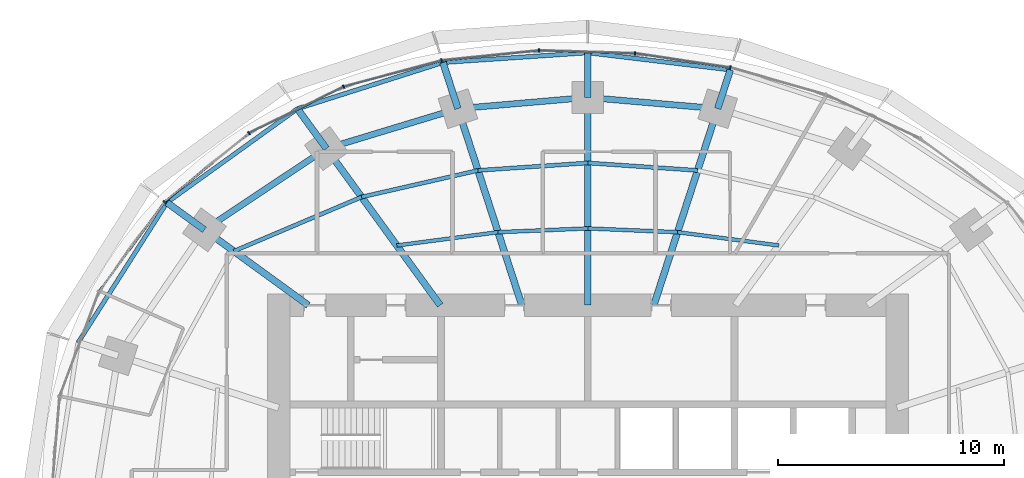
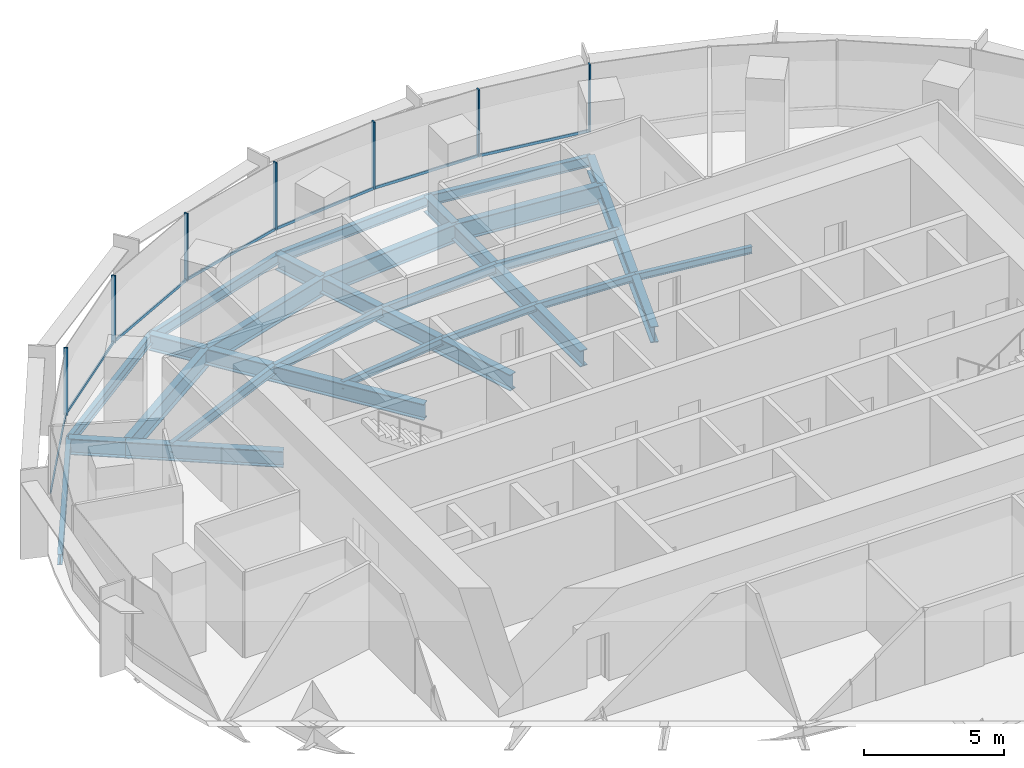
# One storey, part 7 of 14: 27 beams, 14 members, 2 elements without a shape of their own.
"""IFC4 building model written with IfcOpenShell, lengths in metres."""

from ifc_helpers import new_model, si_unit, direction, frame, origin, origin_2d, place, context, subcontext, project, spatial, rectangle, i_section, extrude, material, material_profile, profile_set, type_object, element, aggregate, save


model = new_model("IFC4")

# Units and contexts
model_context = context("Model", 3, precision=1e-05, world=origin(), true_north=direction((0.0, 1.0)))
body_context = subcontext(model_context, "Body", "Model", "MODEL_VIEW")
ifc_project = project(units=[si_unit("LENGTHUNIT", "METRE"), si_unit("AREAUNIT", "SQUARE_METRE"), si_unit("VOLUMEUNIT", "CUBIC_METRE"), si_unit("PLANEANGLEUNIT", "RADIAN"), si_unit("MASSUNIT", "GRAM", prefix="KILO")], contexts=[model_context])

# Site, building, storey
site_placement = place(None, origin())
site = spatial("IfcSite", under=ifc_project, at=site_placement, CompositionType="ELEMENT")
building_placement = place(site_placement, origin())
building = spatial("IfcBuilding", under=site, at=building_placement, Name="Marramba Exchange Tower", CompositionType="ELEMENT")
storey_placement = place(building_placement, frame((0.0, 0.0, 203.300048828125)))
storey = spatial("IfcBuildingStorey", under=building, at=storey_placement, Name="L49", CompositionType="ELEMENT", Elevation=203.300048828125)

# Beams
ifc_material_1 = material(Name="Steel AS/NZS 3679.2 grade 300", Category="steel")
ifc_material_profile_1 = material_profile(ifc_material_1, i_section(OverallWidth=0.300048828125, OverallDepth=0.699951171875, WebThickness=0.010009765625, FlangeThickness=0.031982421875, at=origin_2d()), Name="700WB173")
ifc_profile_set_1 = profile_set([ifc_material_profile_1], Name="Steel AS/NZS 3679.2 grade 300")
beam_type_1 = type_object("IfcBeamType", Name="Cantilever girder 700WB173", PredefinedType="BEAM", material=ifc_profile_set_1)
beam_1_placement = place(storey_placement, frame((5.75390625, 17.70849609375, -0.510009765625), z_axis=(0.308960771946, 0.951074782232, 0.0), x_axis=(-0.951074782232, 0.308960771946, 0.0)))
element("IfcBeam", 1, at=beam_1_placement, inside=storey, type_object=beam_type_1, Name="Cantilever girder L49 TC05", PredefinedType="BEAM", context=body_context, shape_type="SweptSolid", body=[
    extrude(i_section(OverallWidth=0.300048828125, OverallDepth=0.699951171875, WebThickness=0.010009765625, FlangeThickness=0.031982421875, at=origin_2d()), origin(), (0.0, 0.0, 1.0), 1.806396484375),
])
beam_2_placement = place(storey_placement, frame((0.0, 18.2041015625, -0.510009765625), z_axis=(0.0, 1.0, 0.0), x_axis=(-1.0, 0.0, 0.0)))
element("IfcBeam", 2, at=beam_2_placement, inside=storey, type_object=beam_type_1, Name="Cantilever girder L49 TC06", PredefinedType="BEAM", context=body_context, shape_type="SweptSolid", body=[
    extrude(i_section(OverallWidth=0.300048828125, OverallDepth=0.699951171875, WebThickness=0.010009765625, FlangeThickness=0.031982421875, at=origin_2d()), origin(), (0.0, 0.0, 1.0), 1.982177734375),
])
beam_3_placement = place(storey_placement, frame((-5.75390625, 17.70849609375, -0.510009765625), z_axis=(-0.308998798068, 0.951062428441, 0.0), x_axis=(-0.951062428441, -0.308998798068, 0.0)))
element("IfcBeam", 3, at=beam_3_placement, inside=storey, type_object=beam_type_1, Name="Cantilever girder L49 TC07", PredefinedType="BEAM", context=body_context, shape_type="SweptSolid", body=[
    extrude(i_section(OverallWidth=0.300048828125, OverallDepth=0.699951171875, WebThickness=0.010009765625, FlangeThickness=0.031982421875, at=origin_2d()), origin(), (0.0, 0.0, 1.0), 2.150634765625),
])
beam_4_placement = place(storey_placement, frame((-11.581298828125, 15.9404296875, -0.510009765625), z_axis=(-0.587832433352, 0.808982713226, 0.0), x_axis=(-0.808982713226, -0.587832433352, 0.0)))
element("IfcBeam", 4, at=beam_4_placement, inside=storey, type_object=beam_type_1, Name="Cantilever girder L49 TC08", PredefinedType="BEAM", context=body_context, shape_type="SweptSolid", body=[
    extrude(i_section(OverallWidth=0.300048828125, OverallDepth=0.699951171875, WebThickness=0.010009765625, FlangeThickness=0.031982421875, at=origin_2d()), origin(), (0.0, 0.0, 1.0), 2.1826171875),
])
beam_5_placement = place(storey_placement, frame((-16.98583984375, 12.3408203125, -0.510009765625), z_axis=(-0.808962446125, 0.587860324192, 0.0), x_axis=(-0.587860324192, -0.808962446125, 0.0)))
element("IfcBeam", 5, at=beam_5_placement, inside=storey, type_object=beam_type_1, Name="Cantilever girder L49 TC09", PredefinedType="BEAM", context=body_context, shape_type="SweptSolid", body=[
    extrude(i_section(OverallWidth=0.300048828125, OverallDepth=0.699951171875, WebThickness=0.010009765625, FlangeThickness=0.031982421875, at=origin_2d()), origin(), (0.0, 0.0, 1.0), 2.051513671875),
])
ifc_material_2 = material(Name="Steel AS/NZS 3679.1 grade 300", Category="steel")
ifc_material_profile_2 = material_profile(ifc_material_2, i_section(OverallWidth=0.166015625, OverallDepth=0.306884765625, WebThickness=0.006591796875, FlangeThickness=0.01171875, FilletRadius=0.011474609375, at=origin_2d()), Name="310UB46.2")
ifc_profile_set_2 = profile_set([ifc_material_profile_2], Name="Steel AS/NZS 3679.1 grade 300")
beam_type_2 = type_object("IfcBeamType", Name="Floor joist 310UB46.2", PredefinedType="JOIST", material=ifc_profile_set_2)
beam_6_placement = place(storey_placement, frame((8.4619140625, 11.646728515625, -0.3134765625), z_axis=(-0.991480538255, 0.130254912618, 0.0), x_axis=(-0.130254912618, -0.991480538255, 0.0)))
element("IfcBeam", 6, at=beam_6_placement, inside=storey, type_object=beam_type_2, Name="Joist L49 bay 04 row 1", PredefinedType="JOIST", context=body_context, shape_type="SweptSolid", body=[
    extrude(i_section(OverallWidth=0.166015625, OverallDepth=0.306884765625, WebThickness=0.006591796875, FlangeThickness=0.01171875, FilletRadius=0.011474609375, at=origin_2d()), origin(), (0.0, 0.0, 1.0), 4.524658203125),
])
for number, where, z_axis, x_axis, name in (
    (7, (3.975830078125, 12.236083984375, -0.3134765625), (-0.999137002892, 0.041536122257, 0.0), (-0.041536122257, -0.999137002892, 0.0), "Joist L49 bay 05 row 1"),
    (8, (0.0, 12.4013671875, -0.3134765625), (-0.999137002892, -0.041536122257, 0.0), (0.041536122257, -0.999137002892, 0.0), "Joist L49 bay 06 row 1"),
):
    element("IfcBeam", number, at=place(storey_placement, frame(where, z_axis=z_axis, x_axis=x_axis)), inside=storey, type_object=beam_type_2, Name=name, PredefinedType="JOIST", context=body_context, shape_type="SweptSolid", body=[
        extrude(i_section(OverallWidth=0.166015625, OverallDepth=0.306884765625, WebThickness=0.006591796875, FlangeThickness=0.01171875, FilletRadius=0.011474609375, at=origin_2d()), origin(), (0.0, 0.0, 1.0), 3.979248046875),
    ])
beam_7_placement = place(storey_placement, frame((-3.975830078125, 12.236083984375, -0.3134765625), z_axis=(-0.991480538255, -0.130254912618, 0.0), x_axis=(0.130254912618, -0.991480538255, 0.0)))
element("IfcBeam", 9, at=beam_7_placement, inside=storey, type_object=beam_type_2, Name="Joist L49 bay 07 row 1", PredefinedType="JOIST", context=body_context, shape_type="SweptSolid", body=[
    extrude(i_section(OverallWidth=0.166015625, OverallDepth=0.306884765625, WebThickness=0.006591796875, FlangeThickness=0.01171875, FilletRadius=0.011474609375, at=origin_2d()), origin(), (0.0, 0.0, 1.0), 4.524658203125),
])
ifc_material_profile_3 = material_profile(ifc_material_2, i_section(OverallWidth=0.177978515625, OverallDepth=0.406005859375, WebThickness=0.0078125, FlangeThickness=0.0126953125, FilletRadius=0.011474609375, at=origin_2d()), Name="410UB59.7")
ifc_profile_set_3 = profile_set([ifc_material_profile_3], Name="Steel AS/NZS 3679.1 grade 300")
beam_type_3 = type_object("IfcBeamType", Name="Floor joist 410UB59.7", PredefinedType="JOIST", material=ifc_profile_set_3)
for number, where, z_axis, x_axis, name in (
    (10, (4.86474609375, 14.972412109375, -0.363037109375), (-0.997702652202, 0.067745241816, 0.0), (-0.067745241816, -0.997702652202, 0.0), "Joist L49 bay 05 row 2"),
    (11, (0.0, 15.302734375, -0.363037109375), (-0.997702652202, -0.067745241816, 0.0), (0.067745241816, -0.997702652202, 0.0), "Joist L49 bay 06 row 2"),
):
    element("IfcBeam", number, at=place(storey_placement, frame(where, z_axis=z_axis, x_axis=x_axis)), inside=storey, type_object=beam_type_3, Name=name, PredefinedType="JOIST", context=body_context, shape_type="SweptSolid", body=[
        extrude(i_section(OverallWidth=0.177978515625, OverallDepth=0.406005859375, WebThickness=0.0078125, FlangeThickness=0.0126953125, FilletRadius=0.011474609375, at=origin_2d()), origin(), (0.0, 0.0, 1.0), 4.8759765625),
    ])
beam_8_placement = place(storey_placement, frame((-4.86474609375, 14.972412109375, -0.363037109375), z_axis=(-0.974859652292, -0.222819788916, 0.0), x_axis=(0.222819788916, -0.974859652292, 0.0)))
element("IfcBeam", 12, at=beam_8_placement, inside=storey, type_object=beam_type_3, Name="Joist L49 bay 07 row 2", PredefinedType="JOIST", context=body_context, shape_type="SweptSolid", body=[
    extrude(i_section(OverallWidth=0.177978515625, OverallDepth=0.406005859375, WebThickness=0.0078125, FlangeThickness=0.0126953125, FilletRadius=0.011474609375, at=origin_2d()), origin(), (0.0, 0.0, 1.0), 5.2900390625),
])
beam_9_placement = place(storey_placement, frame((-10.021728515625, 13.793701171875, -0.363037109375), z_axis=(-0.920674336375, -0.390331610738, 0.0), x_axis=(0.390331610738, -0.920674336375, 0.0)))
element("IfcBeam", 13, at=beam_9_placement, inside=storey, type_object=beam_type_3, Name="Joist L49 bay 08 row 2", PredefinedType="JOIST", context=body_context, shape_type="SweptSolid", body=[
    extrude(i_section(OverallWidth=0.177978515625, OverallDepth=0.406005859375, WebThickness=0.0078125, FlangeThickness=0.0126953125, FilletRadius=0.011474609375, at=origin_2d()), origin(), (0.0, 0.0, 1.0), 6.1484375),
])

# Curtain wall, members
ifc_material_3 = material(Name="Aluminium framing, bronze anodised", Category="aluminium")
curtain_wall_type = type_object("IfcCurtainWallType", Name="Office ribbon curtain wall", PredefinedType="USERDEFINED", material=ifc_material_3)
curtain_wall_1_placement = place(storey_placement, origin())
curtain_wall_1 = element("IfcCurtainWall", 14, at=curtain_wall_1_placement, inside=storey, type_object=curtain_wall_type, Name="Curtain wall CW4 L49 F06-F10", ObjectType="RIBBON CURTAIN WALL", PredefinedType="USERDEFINED")
ifc_material_4 = material(Name="Aluminium mullion, bronze anodised", Category="aluminium")
ifc_material_profile_4 = material_profile(ifc_material_4, rectangle(XDim=0.159912109375, YDim=0.06005859375, at=origin_2d()), Name="CW4 mullion 60x160")
ifc_profile_set_4 = profile_set([ifc_material_profile_4], Name="Aluminium mullion, bronze anodised")
member_type_1 = type_object("IfcMemberType", Name="Office ribbon curtain wall mullion", PredefinedType="MULLION", material=ifc_profile_set_4)
member_1_placement = place(storey_placement, frame((6.313232421875, 19.526123046875, 0.800048828125), z_axis=(0.0, 0.0, 1.0), x_axis=(-0.148794988635, -0.988868065698, 0.0)))
member_1 = element("IfcMember", 15, at=member_1_placement, type_object=member_type_1, Name="CW4 mullion 1", PredefinedType="MULLION", context=body_context, shape_type="SweptSolid", body=[
    extrude(rectangle(XDim=0.159912109375, YDim=0.06005859375, at=origin_2d()), origin(), (0.0, 0.0, 1.0), 2.93994140625),
])
member_2_placement = place(storey_placement, frame((2.088623046875, 20.158203125, 0.800048828125), z_axis=(0.0, 0.0, 1.0), x_axis=(-0.03039385249, -0.999538000143, 0.0)))
member_2 = element("IfcMember", 16, at=member_2_placement, type_object=member_type_1, Name="CW4 mullion 1", PredefinedType="MULLION", context=body_context, shape_type="SweptSolid", body=[
    extrude(rectangle(XDim=0.159912109375, YDim=0.06005859375, at=origin_2d()), origin(), (0.0, 0.0, 1.0), 2.93994140625),
])
member_3_placement = place(storey_placement, frame((-2.162109375, 20.28369140625, 0.800048828125), z_axis=(0.0, 0.0, 1.0), x_axis=(0.100862673507, -0.994900357369, 0.0)))
member_3 = element("IfcMember", 17, at=member_3_placement, type_object=member_type_1, Name="CW4 mullion 1", PredefinedType="MULLION", context=body_context, shape_type="SweptSolid", body=[
    extrude(rectangle(XDim=0.159912109375, YDim=0.06005859375, at=origin_2d()), origin(), (0.0, 0.0, 1.0), 2.93994140625),
])
member_4_placement = place(storey_placement, frame((-6.478271484375, 19.84130859375, 0.800048828125), z_axis=(0.0, 0.0, 1.0), x_axis=(0.257641223778, -0.966240653155, 0.0)))
member_4 = element("IfcMember", 18, at=member_4_placement, type_object=member_type_1, Name="CW4 mullion 1", PredefinedType="MULLION", context=body_context, shape_type="SweptSolid", body=[
    extrude(rectangle(XDim=0.159912109375, YDim=0.06005859375, at=origin_2d()), origin(), (0.0, 0.0, 1.0), 2.93994140625),
])

curtain_wall_2_placement = place(storey_placement, origin())
curtain_wall_2 = element("IfcCurtainWall", 19, at=curtain_wall_2_placement, inside=storey, type_object=curtain_wall_type, Name="Curtain wall CW4 L49 F11-F15", ObjectType="RIBBON CURTAIN WALL", PredefinedType="USERDEFINED")
member_5_placement = place(storey_placement, frame((-10.818359375, 18.677978515625, 0.800048828125), z_axis=(0.0, 0.0, 1.0), x_axis=(0.438972456661, -0.898500518805, 0.0)))
member_5 = element("IfcMember", 20, at=member_5_placement, type_object=member_type_1, Name="CW4 mullion 1", PredefinedType="MULLION", context=body_context, shape_type="SweptSolid", body=[
    extrude(rectangle(XDim=0.159912109375, YDim=0.06005859375, at=origin_2d()), origin(), (0.0, 0.0, 1.0), 2.93994140625),
])
member_6_placement = place(storey_placement, frame((-15.008056640625, 16.62353515625, 0.800048828125), z_axis=(0.0, 0.0, 1.0), x_axis=(0.630200830464, -0.776432169145, 0.0)))
member_6 = element("IfcMember", 21, at=member_6_placement, type_object=member_type_1, Name="CW4 mullion 1", PredefinedType="MULLION", context=body_context, shape_type="SweptSolid", body=[
    extrude(rectangle(XDim=0.159912109375, YDim=0.06005859375, at=origin_2d()), origin(), (0.0, 0.0, 1.0), 2.93994140625),
])
member_7_placement = place(storey_placement, frame((-18.744140625, 13.581298828125, 0.800048828125), z_axis=(0.0, 0.0, 1.0), x_axis=(0.805965197024, -0.591962922138, 0.0)))
member_7 = element("IfcMember", 22, at=member_7_placement, type_object=member_type_1, Name="CW4 mullion 1", PredefinedType="MULLION", context=body_context, shape_type="SweptSolid", body=[
    extrude(rectangle(XDim=0.159912109375, YDim=0.06005859375, at=origin_2d()), origin(), (0.0, 0.0, 1.0), 2.93994140625),
])

# Member
ifc_material_5 = material(Name="Aluminium transom, bronze anodised", Category="aluminium")
ifc_material_profile_5 = material_profile(ifc_material_5, rectangle(XDim=0.06005859375, YDim=0.1201171875, at=origin_2d()), Name="CW4 transom 60x120")
ifc_profile_set_5 = profile_set([ifc_material_profile_5], Name="Aluminium transom, bronze anodised")
member_type_2 = type_object("IfcMemberType", Name="Office ribbon curtain wall transom", PredefinedType="USERDEFINED", material=ifc_profile_set_5)
member_8_placement = place(storey_placement, frame((6.28369140625, 19.53076171875, 0.829833984375), z_axis=(-0.988868222508, 0.148793946493, 0.0), x_axis=(-0.148793946493, -0.988868222508, 0.0)))
member_8 = element("IfcMember", 23, at=member_8_placement, type_object=member_type_2, Name="CW4 sill transom", ObjectType="TRANSOM", PredefinedType="USERDEFINED", context=body_context, shape_type="SweptSolid", body=[
    extrude(rectangle(XDim=0.06005859375, YDim=0.1201171875, at=origin_2d()), origin(), (0.0, 0.0, 1.0), 4.2119140625),
])

member_9_placement = place(storey_placement, frame((2.05859375, 20.1591796875, 0.829833984375), z_axis=(-0.99953796835, 0.030394898024, 0.0), x_axis=(-0.030394898024, -0.99953796835, 0.0)))
member_9 = element("IfcMember", 24, at=member_9_placement, type_object=member_type_2, Name="CW4 sill transom", ObjectType="TRANSOM", PredefinedType="USERDEFINED", context=body_context, shape_type="SweptSolid", body=[
    extrude(rectangle(XDim=0.06005859375, YDim=0.1201171875, at=origin_2d()), origin(), (0.0, 0.0, 1.0), 4.19287109375),
])

member_10_placement = place(storey_placement, frame((-2.19189453125, 20.280517578125, 0.829833984375), z_axis=(-0.99489954864, -0.100870650418, 0.0), x_axis=(0.100870650418, -0.99489954864, 0.0)))
member_10 = element("IfcMember", 25, at=member_10_placement, type_object=member_type_2, Name="CW4 sill transom", ObjectType="TRANSOM", PredefinedType="USERDEFINED", context=body_context, shape_type="SweptSolid", body=[
    extrude(rectangle(XDim=0.06005859375, YDim=0.1201171875, at=origin_2d()), origin(), (0.0, 0.0, 1.0), 4.279052734375),
])

member_11_placement = place(storey_placement, frame((-6.50732421875, 19.83349609375, 0.829833984375), z_axis=(-0.966237681407, -0.25765236857, 0.0), x_axis=(0.25765236857, -0.966237681407, 0.0)))
member_11 = element("IfcMember", 26, at=member_11_placement, type_object=member_type_2, Name="CW4 sill transom", ObjectType="TRANSOM", PredefinedType="USERDEFINED", context=body_context, shape_type="SweptSolid", body=[
    extrude(rectangle(XDim=0.06005859375, YDim=0.1201171875, at=origin_2d()), origin(), (0.0, 0.0, 1.0), 4.43359375),
])

aggregate(curtain_wall_1, [member_1, member_8, member_2, member_9, member_3, member_10, member_4, member_11])

member_12_placement = place(storey_placement, frame((-10.84521484375, 18.664794921875, 0.829833984375), z_axis=(-0.898501418486, -0.438970615165, 0.0), x_axis=(0.438970615165, -0.898501418486, 0.0)))
member_12 = element("IfcMember", 27, at=member_12_placement, type_object=member_type_2, Name="CW4 sill transom", ObjectType="TRANSOM", PredefinedType="USERDEFINED", context=body_context, shape_type="SweptSolid", body=[
    extrude(rectangle(XDim=0.06005859375, YDim=0.1201171875, at=origin_2d()), origin(), (0.0, 0.0, 1.0), 4.607177734375),
])

member_13_placement = place(storey_placement, frame((-15.031494140625, 16.6044921875, 0.829833984375), z_axis=(-0.776424623019, -0.630210127473, 0.0), x_axis=(0.630210127473, -0.776424623019, 0.0)))
member_13 = element("IfcMember", 28, at=member_13_placement, type_object=member_type_2, Name="CW4 sill transom", ObjectType="TRANSOM", PredefinedType="USERDEFINED", context=body_context, shape_type="SweptSolid", body=[
    extrude(rectangle(XDim=0.06005859375, YDim=0.1201171875, at=origin_2d()), origin(), (0.0, 0.0, 1.0), 4.7587890625),
])

member_14_placement = place(storey_placement, frame((-18.761962890625, 13.55712890625, 0.829833984375), z_axis=(-0.591957380483, -0.805969267213, 0.0), x_axis=(0.805969267213, -0.591957380483, 0.0)))
member_14 = element("IfcMember", 29, at=member_14_placement, type_object=member_type_2, Name="CW4 sill transom", ObjectType="TRANSOM", PredefinedType="USERDEFINED", context=body_context, shape_type="SweptSolid", body=[
    extrude(rectangle(XDim=0.06005859375, YDim=0.1201171875, at=origin_2d()), origin(), (0.0, 0.0, 1.0), 4.865478515625),
])

aggregate(curtain_wall_2, [member_5, member_12, member_6, member_13, member_7, member_14])

# Beams
ifc_material_profile_6 = material_profile(ifc_material_1, i_section(OverallWidth=0.300048828125, OverallDepth=0.699951171875, WebThickness=0.010009765625, FlangeThickness=0.031982421875, at=origin_2d()), Name="700WB173")
ifc_profile_set_6 = profile_set([ifc_material_profile_6], Name="Steel AS/NZS 3679.2 grade 300")
beam_type_4 = type_object("IfcBeamType", Name="Radial girder 700WB173", PredefinedType="BEAM", material=ifc_profile_set_6)
beam_10_placement = place(storey_placement, frame((2.92431640625, 9.0, -0.510009765625), z_axis=(0.309019754162, 0.951055619582, 0.0), x_axis=(-0.951055619582, 0.309019754162, 0.0)))
element("IfcBeam", 30, at=beam_10_placement, inside=storey, type_object=beam_type_4, Name="Radial girder L49 TC05", PredefinedType="BEAM", context=body_context, shape_type="SweptSolid", body=[
    extrude(i_section(OverallWidth=0.300048828125, OverallDepth=0.699951171875, WebThickness=0.010009765625, FlangeThickness=0.031982421875, at=origin_2d()), origin(), (0.0, 0.0, 1.0), 9.15673828125),
])
beam_11_placement = place(storey_placement, frame((0.0, 9.0, -0.510009765625), z_axis=(0.0, 1.0, 0.0), x_axis=(-1.0, 0.0, 0.0)))
element("IfcBeam", 31, at=beam_11_placement, inside=storey, type_object=beam_type_4, Name="Radial girder L49 TC06", PredefinedType="BEAM", context=body_context, shape_type="SweptSolid", body=[
    extrude(i_section(OverallWidth=0.300048828125, OverallDepth=0.699951171875, WebThickness=0.010009765625, FlangeThickness=0.031982421875, at=origin_2d()), origin(), (0.0, 0.0, 1.0), 9.2041015625),
])
beam_12_placement = place(storey_placement, frame((-2.92431640625, 9.0, -0.510009765625), z_axis=(-0.309019754162, 0.951055619582, 0.0), x_axis=(-0.951055619582, -0.309019754162, 0.0)))
element("IfcBeam", 32, at=beam_12_placement, inside=storey, type_object=beam_type_4, Name="Radial girder L49 TC07", PredefinedType="BEAM", context=body_context, shape_type="SweptSolid", body=[
    extrude(i_section(OverallWidth=0.300048828125, OverallDepth=0.699951171875, WebThickness=0.010009765625, FlangeThickness=0.031982421875, at=origin_2d()), origin(), (0.0, 0.0, 1.0), 9.15673828125),
])
beam_13_placement = place(storey_placement, frame((-6.538818359375, 9.0, -0.510009765625), z_axis=(-0.587782439969, 0.80901903764, 0.0), x_axis=(-0.80901903764, -0.587782439969, 0.0)))
element("IfcBeam", 33, at=beam_13_placement, inside=storey, type_object=beam_type_4, Name="Radial girder L49 TC08", PredefinedType="BEAM", context=body_context, shape_type="SweptSolid", body=[
    extrude(i_section(OverallWidth=0.300048828125, OverallDepth=0.699951171875, WebThickness=0.010009765625, FlangeThickness=0.031982421875, at=origin_2d()), origin(), (0.0, 0.0, 1.0), 8.578857421875),
])
beam_14_placement = place(storey_placement, frame((-12.387451171875, 9.0, -0.510009765625), z_axis=(-0.809025746925, 0.587773205252, 0.0), x_axis=(-0.587773205252, -0.809025746925, 0.0)))
element("IfcBeam", 34, at=beam_14_placement, inside=storey, type_object=beam_type_4, Name="Radial girder L49 TC09", PredefinedType="BEAM", context=body_context, shape_type="SweptSolid", body=[
    extrude(i_section(OverallWidth=0.300048828125, OverallDepth=0.699951171875, WebThickness=0.010009765625, FlangeThickness=0.031982421875, at=origin_2d()), origin(), (0.0, 0.0, 1.0), 5.683837890625),
])
ifc_material_profile_7 = material_profile(ifc_material_1, i_section(OverallWidth=0.27490234375, OverallDepth=0.800048828125, WebThickness=0.010009765625, FlangeThickness=0.02490234375, at=origin_2d()), Name="800WB168")
ifc_profile_set_7 = profile_set([ifc_material_profile_7], Name="Steel AS/NZS 3679.2 grade 300")
beam_type_5 = type_object("IfcBeamType", Name="Ring beam 800WB168", PredefinedType="SPANDREL", material=ifc_profile_set_7)
for number, where, z_axis, x_axis, name in (
    (35, (5.75390625, 17.70849609375, -0.56005859375), (-0.996311003275, 0.085815993578, 0.0), (-0.085815993578, -0.996311003275, 0.0), "Ring beam L49 TC05-TC06"),
    (36, (0.0, 18.2041015625, -0.56005859375), (-0.996311003275, -0.085815993578, 0.0), (0.085815993578, -0.996311003275, 0.0), "Ring beam L49 TC06-TC07"),
):
    element("IfcBeam", number, at=place(storey_placement, frame(where, z_axis=z_axis, x_axis=x_axis)), inside=storey, type_object=beam_type_5, Name=name, PredefinedType="SPANDREL", context=body_context, shape_type="SweptSolid", body=[
        extrude(i_section(OverallWidth=0.27490234375, OverallDepth=0.800048828125, WebThickness=0.010009765625, FlangeThickness=0.02490234375, at=origin_2d()), origin(), (0.0, 0.0, 1.0), 5.775146484375),
    ])
beam_15_placement = place(storey_placement, frame((-5.75390625, 17.70849609375, -0.56005859375), z_axis=(-0.956924542524, -0.290336735387, 0.0), x_axis=(0.290336735387, -0.956924542524, 0.0)))
element("IfcBeam", 37, at=beam_15_placement, inside=storey, type_object=beam_type_5, Name="Ring beam L49 TC07-TC08", PredefinedType="SPANDREL", context=body_context, shape_type="SweptSolid", body=[
    extrude(i_section(OverallWidth=0.27490234375, OverallDepth=0.800048828125, WebThickness=0.010009765625, FlangeThickness=0.02490234375, at=origin_2d()), origin(), (0.0, 0.0, 1.0), 6.089599609375),
])
beam_16_placement = place(storey_placement, frame((-11.581298828125, 15.9404296875, -0.56005859375), z_axis=(-0.832293151443, -0.554335737673, 0.0), x_axis=(0.554335737673, -0.832293151443, 0.0)))
element("IfcBeam", 38, at=beam_16_placement, inside=storey, type_object=beam_type_5, Name="Ring beam L49 TC08-TC09", PredefinedType="SPANDREL", context=body_context, shape_type="SweptSolid", body=[
    extrude(i_section(OverallWidth=0.27490234375, OverallDepth=0.800048828125, WebThickness=0.010009765625, FlangeThickness=0.02490234375, at=origin_2d()), origin(), (0.0, 0.0, 1.0), 6.49365234375),
])
ifc_material_profile_8 = material_profile(ifc_material_2, i_section(OverallWidth=0.19091796875, OverallDepth=0.4599609375, WebThickness=0.010009765625, FlangeThickness=0.01611328125, FilletRadius=0.011474609375, at=origin_2d()), Name="460UB82.1")
ifc_profile_set_8 = profile_set([ifc_material_profile_8], Name="Steel AS/NZS 3679.1 grade 300")
beam_type_6 = type_object("IfcBeamType", Name="Slab edge beam 460UB82.1", PredefinedType="SPANDREL", material=ifc_profile_set_8)
beam_17_placement = place(storey_placement, frame((6.31201171875, 19.426513671875, -0.39013671875), z_axis=(-0.992833525914, 0.119505605811, 0.0), x_axis=(-0.119505605811, -0.992833525914, 0.0)))
element("IfcBeam", 39, at=beam_17_placement, inside=storey, type_object=beam_type_6, Name="Slab edge beam L49 TC05-TC06", PredefinedType="SPANDREL", context=body_context, shape_type="SweptSolid", body=[
    extrude(i_section(OverallWidth=0.19091796875, OverallDepth=0.4599609375, WebThickness=0.010009765625, FlangeThickness=0.01611328125, FilletRadius=0.011474609375, at=origin_2d()), origin(), (0.0, 0.0, 1.0), 6.357666015625),
])
beam_18_placement = place(storey_placement, frame((0.0, 20.186279296875, -0.39013671875), z_axis=(-0.997738737775, -0.06721168903, 0.0), x_axis=(0.06721168903, -0.997738737775, 0.0)))
element("IfcBeam", 40, at=beam_18_placement, inside=storey, type_object=beam_type_6, Name="Slab edge beam L49 TC06-TC07", PredefinedType="SPANDREL", context=body_context, shape_type="SweptSolid", body=[
    extrude(i_section(OverallWidth=0.19091796875, OverallDepth=0.4599609375, WebThickness=0.010009765625, FlangeThickness=0.01611328125, FilletRadius=0.011474609375, at=origin_2d()), origin(), (0.0, 0.0, 1.0), 6.43310546875),
])
beam_19_placement = place(storey_placement, frame((-6.41845703125, 19.75390625, -0.39013671875), z_axis=(-0.953057484675, -0.302789416766, 0.0), x_axis=(0.302789416766, -0.953057484675, 0.0)))
element("IfcBeam", 41, at=beam_19_placement, inside=storey, type_object=beam_type_6, Name="Slab edge beam L49 TC07-TC08", PredefinedType="SPANDREL", context=body_context, shape_type="SweptSolid", body=[
    extrude(i_section(OverallWidth=0.19091796875, OverallDepth=0.4599609375, WebThickness=0.010009765625, FlangeThickness=0.01611328125, FilletRadius=0.011474609375, at=origin_2d()), origin(), (0.0, 0.0, 1.0), 6.76318359375),
])
beam_20_placement = place(storey_placement, frame((-12.8642578125, 17.7060546875, -0.39013671875), z_axis=(-0.811755352788, -0.583997643163, 0.0), x_axis=(0.583997643163, -0.811755352788, 0.0)))
element("IfcBeam", 42, at=beam_20_placement, inside=storey, type_object=beam_type_6, Name="Slab edge beam L49 TC08-TC09", PredefinedType="SPANDREL", context=body_context, shape_type="SweptSolid", body=[
    extrude(i_section(OverallWidth=0.19091796875, OverallDepth=0.4599609375, WebThickness=0.010009765625, FlangeThickness=0.01611328125, FilletRadius=0.011474609375, at=origin_2d()), origin(), (0.0, 0.0, 1.0), 7.121826171875),
])
beam_21_placement = place(storey_placement, frame((-18.6455078125, 13.546875, -0.39013671875), z_axis=(-0.535794396634, -0.844348485245, 0.0), x_axis=(0.844348485245, -0.535794396634, 0.0)))
element("IfcBeam", 43, at=beam_21_placement, inside=storey, type_object=beam_type_6, Name="Slab edge beam L49 TC09-TC10", PredefinedType="SPANDREL", context=body_context, shape_type="SweptSolid", body=[
    extrude(i_section(OverallWidth=0.19091796875, OverallDepth=0.4599609375, WebThickness=0.010009765625, FlangeThickness=0.01611328125, FilletRadius=0.011474609375, at=origin_2d()), origin(), (0.0, 0.0, 1.0), 7.35302734375),
])

save(model, "model.ifc")
